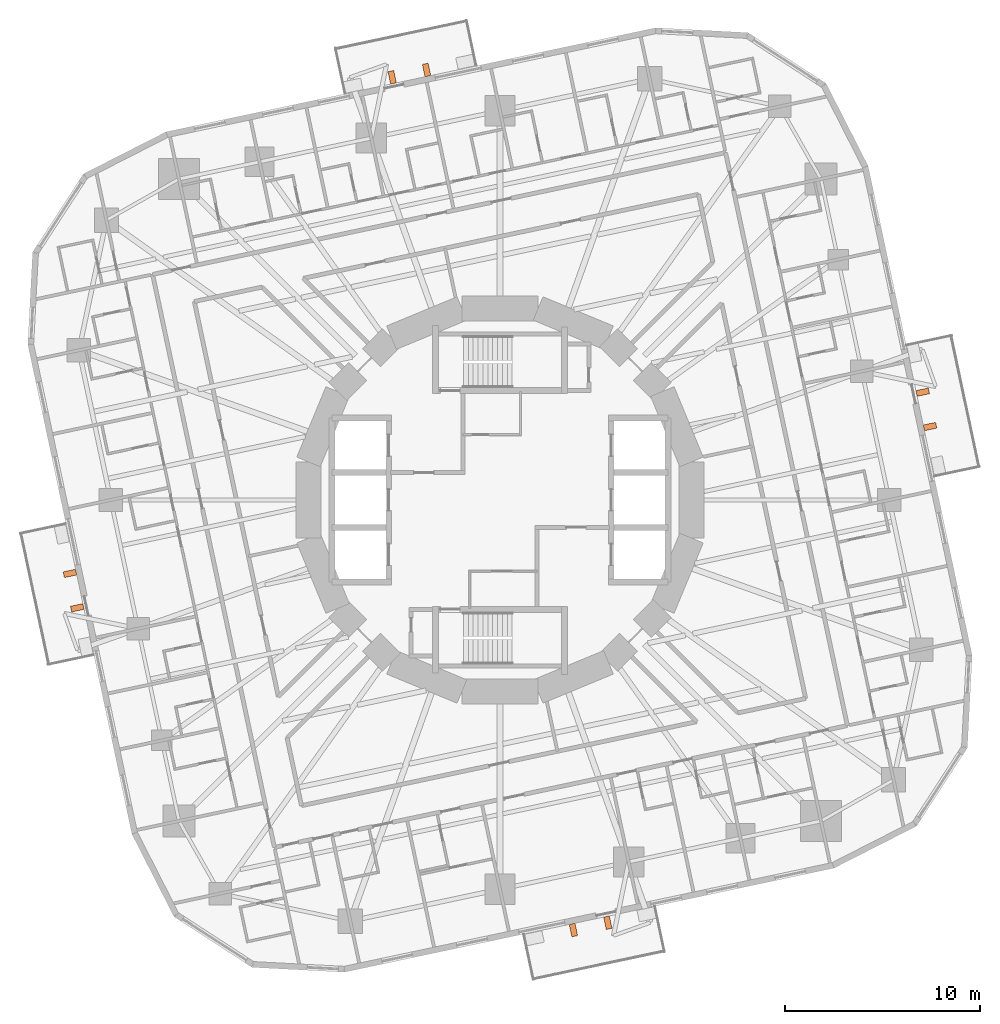
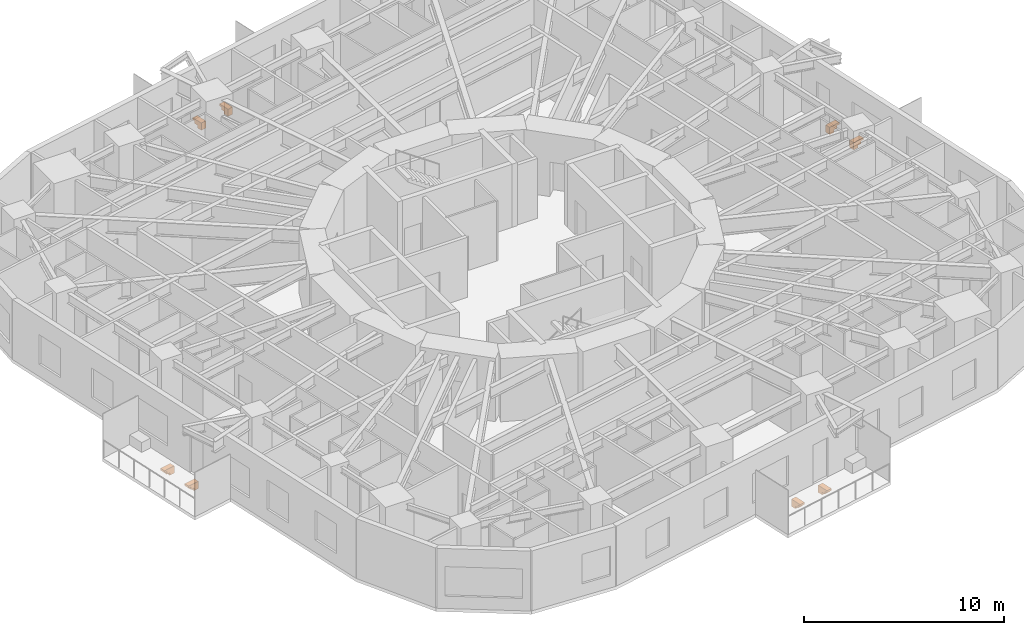
# One storey, part 14 of 14: 8 proxies.
"""IFC4 building model written with IfcOpenShell, lengths in metres."""

from ifc_helpers import new_model, si_unit, direction, frame, origin, place, context, subcontext, project, spatial, polyline, outline, extrude, material, type_object, element, save


model = new_model("IFC4")

# Units and contexts
model_context = context("Model", 3, precision=1e-05, world=origin(), true_north=direction((0.0, 1.0)))
body_context = subcontext(model_context, "Body", "Model", "MODEL_VIEW")
ifc_project = project(units=[si_unit("LENGTHUNIT", "METRE"), si_unit("AREAUNIT", "SQUARE_METRE"), si_unit("VOLUMEUNIT", "CUBIC_METRE"), si_unit("PLANEANGLEUNIT", "RADIAN"), si_unit("MASSUNIT", "GRAM", prefix="KILO")], contexts=[model_context])

# Site, building, storey
site_placement = place(None, origin())
site = spatial("IfcSite", under=ifc_project, at=site_placement, CompositionType="ELEMENT")
building_placement = place(site_placement, origin())
building = spatial("IfcBuilding", under=site, at=building_placement, Name="Nakasero Lantern House", CompositionType="ELEMENT")
storey_placement = place(building_placement, frame((0.0, 0.0, 105.0)))
storey = spatial("IfcBuildingStorey", under=building, at=storey_placement, Name="L25", CompositionType="ELEMENT", Elevation=105.0)

# Proxies
ifc_material = material(Name="Concrete C40/50 precast", Category="concrete")
building_element_proxy_type = type_object("IfcBuildingElementProxyType", Name="Balcony bracket 300", PredefinedType="USERDEFINED", material=ifc_material)
for number, where, z_axis, x_axis, name in (
    (1, (21.706298828125, 3.693603515625, -0.199951171875), (0.0, 0.0, 1.0), (0.978147601, 0.207911691, 0.0), "Balcony bracket L25 0A"),
    (2, (21.33203125, 5.454345703125, -0.199951171875), (0.0, 0.0, 1.0), (0.978147601, 0.207911691, 0.0), "Balcony bracket L25 0B"),
    (3, (-3.693603515625, 21.706298828125, -0.199951171875), (0.0, 0.0, 1.0), (-0.207911691, 0.978147601, 0.0), "Balcony bracket L25 1A"),
    (4, (-5.454345703125, 21.33203125, -0.199951171875), (0.0, 0.0, 1.0), (-0.207911691, 0.978147601, 0.0), "Balcony bracket L25 1B"),
    (5, (-21.706298828125, -3.693603515625, -0.199951171875), (0.0, 0.0, 1.0), (-0.978147601, -0.207911691, 0.0), "Balcony bracket L25 2A"),
    (6, (-21.33203125, -5.454345703125, -0.199951171875), (0.0, 0.0, 1.0), (-0.978147601, -0.207911691, 0.0), "Balcony bracket L25 2B"),
    (7, (3.693603515625, -21.706298828125, -0.199951171875), (0.0, 0.0, 1.0), (0.207911691, -0.978147601, 0.0), "Balcony bracket L25 3A"),
    (8, (5.454345703125, -21.33203125, -0.199951171875), (0.0, 0.0, 1.0), (0.207911691, -0.978147601, 0.0), "Balcony bracket L25 3B"),
):
    element("IfcBuildingElementProxy", number, at=place(storey_placement, frame(where, z_axis=z_axis, x_axis=x_axis)), inside=storey, type_object=building_element_proxy_type, Name=name, ObjectType="BALCONY BRACKET", PredefinedType="USERDEFINED", context=body_context, shape_type="SweptSolid", body=[
        extrude(outline(polyline([(0.0, 0.0), (0.64990234375, 0.0), (0.64990234375, -0.1201171875), (0.5, -0.1201171875), (0.5, -0.280029296875), (0.300048828125, -0.280029296875), (0.300048828125, -0.43994140625), (0.0, -0.43994140625), (0.0, 0.0)])), frame((0.0, 0.14990234375, 0.0), z_axis=(0.0, -1.0, 0.0), x_axis=(1.0, 0.0, 0.0)), (0.0, 0.0, 1.0), 0.300048828125),
    ])

save(model, "model.ifc")
